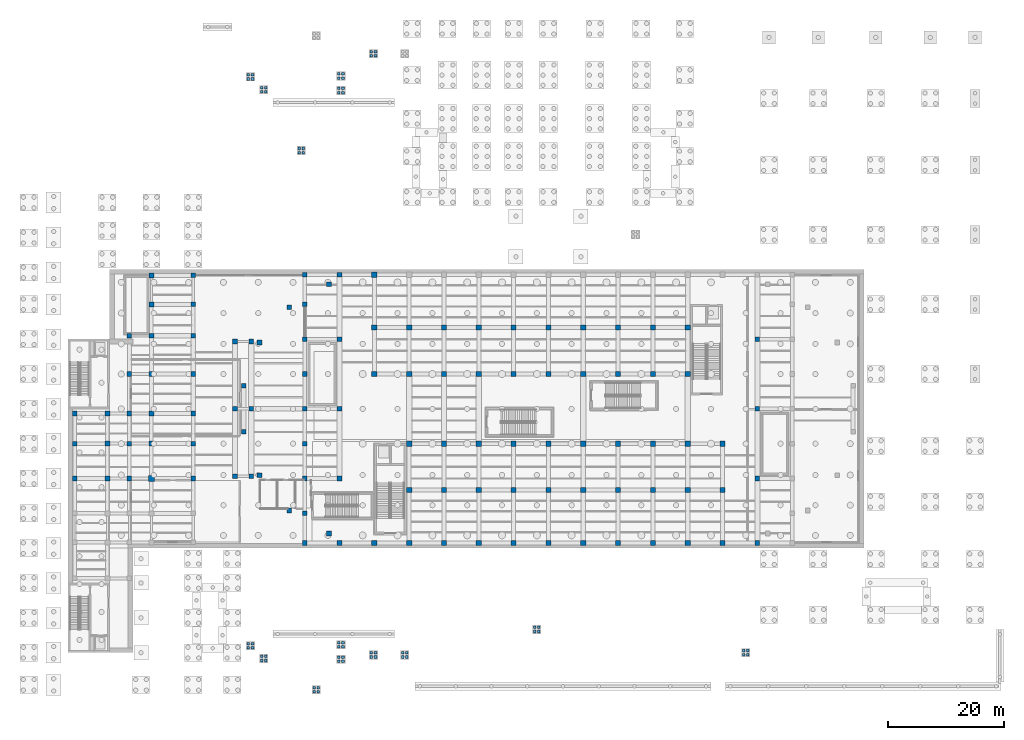
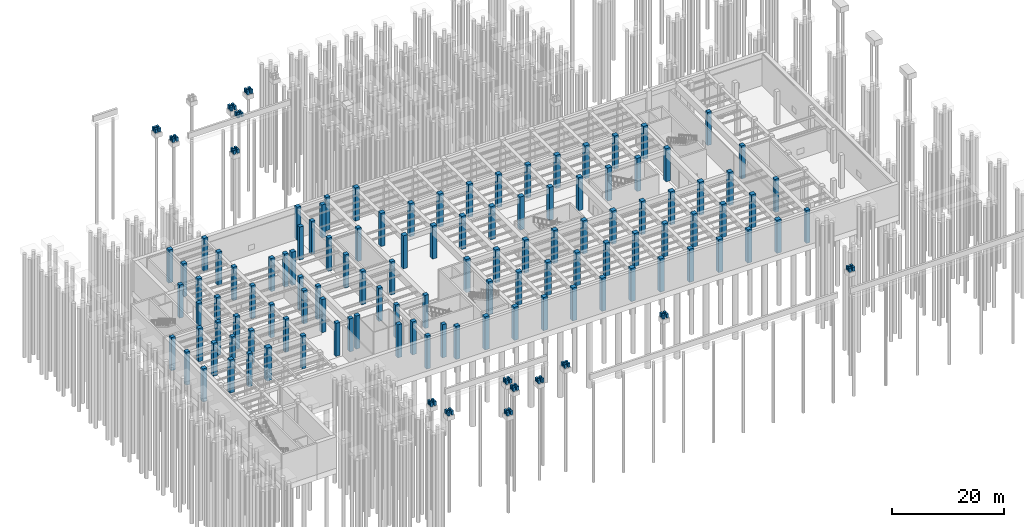
# One storey, part 7 of 30: 169 columns.
"""IFC4 building model written with IfcOpenShell, lengths in metres."""

from ifc_helpers import new_model, si_unit, direction, frame, origin, origin_2d, place, context, subcontext, project, spatial, rectangle, extrude, material, material_profile, profile_set, type_object, element, save


model = new_model("IFC4")

# Units and contexts
model_context = context("Model", 3, precision=1e-05, world=origin(), true_north=direction((0.0, 1.0)))
body_context = subcontext(model_context, "Body", "Model", "MODEL_VIEW")
ifc_project = project(units=[si_unit("LENGTHUNIT", "METRE"), si_unit("AREAUNIT", "SQUARE_METRE"), si_unit("VOLUMEUNIT", "CUBIC_METRE"), si_unit("PLANEANGLEUNIT", "RADIAN"), si_unit("MASSUNIT", "GRAM", prefix="KILO")], contexts=[model_context])

# Site, building, storey
site_placement = place(None, origin())
site = spatial("IfcSite", under=ifc_project, at=site_placement, CompositionType="ELEMENT")
building_placement = place(site_placement, origin())
building = spatial("IfcBuilding", under=site, at=building_placement, Name="Kolvaren Corner Interchange", CompositionType="ELEMENT")
storey_placement = place(building_placement, frame((0.0, 0.0, -7.199951171875)))
storey = spatial("IfcBuildingStorey", under=building, at=storey_placement, Name="B1", CompositionType="ELEMENT", Elevation=-7.199951171875)

# Columns
ifc_material_1 = material(Name="Concrete C40/50", Category="concrete")
ifc_material_profile_1 = material_profile(ifc_material_1, rectangle(XDim=1.0, YDim=1.0, at=origin_2d()), Name="RC 1000x1000")
ifc_profile_set_1 = profile_set([ifc_material_profile_1], Name="Concrete C40/50")
column_type_1 = type_object("IfcColumnType", Name="COL-RC1000", PredefinedType="COLUMN", material=ifc_profile_set_1)
column_placement = place(storey_placement, frame((21.60009765625, 36.0, 0.0), z_axis=(0.0, 0.0, 1.0), x_axis=(1.0, 0.0, 0.0)))
element("IfcColumn", 1, at=column_placement, inside=storey, type_object=column_type_1, Name="Storey B1 Structural Column 0343", PredefinedType="COLUMN", context=body_context, shape_type="SweptSolid", body=[
    extrude(rectangle(XDim=1.0, YDim=1.0, at=origin_2d()), origin(), (0.0, 0.0, 1.0), 7.199951171875),
])
ifc_material_2 = material(Name="Concrete C35/45", Category="concrete")
ifc_material_profile_2 = material_profile(ifc_material_2, rectangle(XDim=0.449951171875, YDim=0.449951171875, at=origin_2d()), Name="RC 450x450")
ifc_profile_set_2 = profile_set([ifc_material_profile_2], Name="Concrete C35/45")
column_type_2 = type_object("IfcColumnType", Name="COL-RC450", PredefinedType="COLUMN", material=ifc_profile_set_2)
for number, where, z_axis, x_axis, name in (
    (2, (49.639892578125, -0.760009765625, 4.619873046875), (0.0, 0.0, 1.0), (1.0, 0.0, 0.0), "Street Sidewalk Plinth Pier 001"),
    (3, (49.639892578125, -0.0400390625, 4.619873046875), (0.0, 0.0, 1.0), (1.0, 0.0, 0.0), "Street Sidewalk Plinth Pier 002"),
    (4, (50.360107421875, -0.760009765625, 4.619873046875), (0.0, 0.0, 1.0), (1.0, 0.0, 0.0), "Street Sidewalk Plinth Pier 003"),
    (5, (50.360107421875, -0.0400390625, 4.619873046875), (0.0, 0.0, 1.0), (1.0, 0.0, 0.0), "Street Sidewalk Plinth Pier 004"),
):
    element("IfcColumn", number, at=place(storey_placement, frame(where, z_axis=z_axis, x_axis=x_axis)), inside=storey, type_object=column_type_2, Name=name, PredefinedType="COLUMN", context=body_context, shape_type="SweptSolid", body=[
        extrude(rectangle(XDim=0.449951171875, YDim=0.449951171875, at=origin_2d()), origin(), (0.0, 0.0, 1.0), 0.85009765625),
    ])
for number, where, z_axis, x_axis, name in (
    (6, (59.489990234375, 5.239990234375, 4.510009765625), (0.0, 0.0, 1.0), (1.0, 0.0, 0.0), "Southwest Forecourt Civic Steps Bottom Plinth Pier 009"),
    (7, (59.489990234375, 5.9599609375, 4.510009765625), (0.0, 0.0, 1.0), (1.0, 0.0, 0.0), "Southwest Forecourt Civic Steps Bottom Plinth Pier 010"),
    (8, (60.2099609375, 5.239990234375, 4.510009765625), (0.0, 0.0, 1.0), (1.0, 0.0, 0.0), "Southwest Forecourt Civic Steps Bottom Plinth Pier 011"),
    (9, (60.2099609375, 5.9599609375, 4.510009765625), (0.0, 0.0, 1.0), (1.0, 0.0, 0.0), "Southwest Forecourt Civic Steps Bottom Plinth Pier 012"),
):
    element("IfcColumn", number, at=place(storey_placement, frame(where, z_axis=z_axis, x_axis=x_axis)), inside=storey, type_object=column_type_2, Name=name, PredefinedType="COLUMN", context=body_context, shape_type="SweptSolid", body=[
        extrude(rectangle(XDim=0.449951171875, YDim=0.449951171875, at=origin_2d()), origin(), (0.0, 0.0, 1.0), 0.849853515625),
    ])
for number, where, z_axis, x_axis, name in (
    (10, (64.889892578125, 5.239990234375, 5.969970703125), (0.0, 0.0, 1.0), (1.0, 0.0, 0.0), "Southwest Forecourt Civic Steps Top Plinth Pier 013"),
    (11, (64.889892578125, 5.9599609375, 5.969970703125), (0.0, 0.0, 1.0), (1.0, 0.0, 0.0), "Southwest Forecourt Civic Steps Top Plinth Pier 014"),
    (12, (65.610107421875, 5.239990234375, 5.969970703125), (0.0, 0.0, 1.0), (1.0, 0.0, 0.0), "Southwest Forecourt Civic Steps Top Plinth Pier 015"),
    (13, (65.610107421875, 5.9599609375, 5.969970703125), (0.0, 0.0, 1.0), (1.0, 0.0, 0.0), "Southwest Forecourt Civic Steps Top Plinth Pier 016"),
):
    element("IfcColumn", number, at=place(storey_placement, frame(where, z_axis=z_axis, x_axis=x_axis)), inside=storey, type_object=column_type_2, Name=name, PredefinedType="COLUMN", context=body_context, shape_type="SweptSolid", body=[
        extrude(rectangle(XDim=0.449951171875, YDim=0.449951171875, at=origin_2d()), origin(), (0.0, 0.0, 1.0), 0.85009765625),
    ])
for number, where, z_axis, x_axis, name in (
    (14, (59.489990234375, 108.840087890625, 4.510009765625), (0.0, 0.0, 1.0), (1.0, 0.0, 0.0), "Northwest Cycle Hub Civic Steps Bottom Plinth Pier 017"),
    (15, (59.489990234375, 109.56005859375, 4.510009765625), (0.0, 0.0, 1.0), (1.0, 0.0, 0.0), "Northwest Cycle Hub Civic Steps Bottom Plinth Pier 018"),
    (16, (60.2099609375, 108.840087890625, 4.510009765625), (0.0, 0.0, 1.0), (1.0, 0.0, 0.0), "Northwest Cycle Hub Civic Steps Bottom Plinth Pier 019"),
    (17, (60.2099609375, 109.56005859375, 4.510009765625), (0.0, 0.0, 1.0), (1.0, 0.0, 0.0), "Northwest Cycle Hub Civic Steps Bottom Plinth Pier 020"),
    (18, (38.2900390625, 6.840087890625, 6.010009765625), (0.0, 0.0, 1.0), (1.0, 0.0, 0.0), "South Forecourt Accessible Plinth Ramp Top Spur Plinth Pier 025"),
    (19, (38.2900390625, 7.56005859375, 6.010009765625), (0.0, 0.0, 1.0), (1.0, 0.0, 0.0), "South Forecourt Accessible Plinth Ramp Top Spur Plinth Pier 026"),
    (20, (39.010009765625, 6.840087890625, 6.010009765625), (0.0, 0.0, 1.0), (1.0, 0.0, 0.0), "South Forecourt Accessible Plinth Ramp Top Spur Plinth Pier 027"),
    (21, (39.010009765625, 7.56005859375, 6.010009765625), (0.0, 0.0, 1.0), (1.0, 0.0, 0.0), "South Forecourt Accessible Plinth Ramp Top Spur Plinth Pier 028"),
    (22, (40.590087890625, 4.639892578125, 4.510009765625), (0.0, 0.0, 1.0), (1.0, 0.0, 0.0), "South Forecourt Accessible Plinth Ramp Bottom Plinth Pier 029"),
    (23, (40.590087890625, 5.360107421875, 4.510009765625), (0.0, 0.0, 1.0), (1.0, 0.0, 0.0), "South Forecourt Accessible Plinth Ramp Bottom Plinth Pier 030"),
    (24, (41.31005859375, 4.639892578125, 4.510009765625), (0.0, 0.0, 1.0), (1.0, 0.0, 0.0), "South Forecourt Accessible Plinth Ramp Bottom Plinth Pier 031"),
    (25, (41.31005859375, 5.360107421875, 4.510009765625), (0.0, 0.0, 1.0), (1.0, 0.0, 0.0), "South Forecourt Accessible Plinth Ramp Bottom Plinth Pier 032"),
    (26, (53.889892578125, 4.489990234375, 5.260009765625), (0.0, 0.0, 1.0), (1.0, 0.0, 0.0), "South Forecourt Accessible Plinth Ramp Mid South Plinth Pier 033"),
    (27, (53.889892578125, 5.2099609375, 5.260009765625), (0.0, 0.0, 1.0), (1.0, 0.0, 0.0), "South Forecourt Accessible Plinth Ramp Mid South Plinth Pier 034"),
    (28, (54.610107421875, 4.489990234375, 5.260009765625), (0.0, 0.0, 1.0), (1.0, 0.0, 0.0), "South Forecourt Accessible Plinth Ramp Mid South Plinth Pier 035"),
    (29, (54.610107421875, 5.2099609375, 5.260009765625), (0.0, 0.0, 1.0), (1.0, 0.0, 0.0), "South Forecourt Accessible Plinth Ramp Mid South Plinth Pier 036"),
    (30, (53.889892578125, 6.989990234375, 5.260009765625), (0.0, 0.0, 1.0), (1.0, 0.0, 0.0), "South Forecourt Accessible Plinth Ramp Mid North Plinth Pier 037"),
    (31, (53.889892578125, 7.7099609375, 5.260009765625), (0.0, 0.0, 1.0), (1.0, 0.0, 0.0), "South Forecourt Accessible Plinth Ramp Mid North Plinth Pier 038"),
    (32, (54.610107421875, 6.989990234375, 5.260009765625), (0.0, 0.0, 1.0), (1.0, 0.0, 0.0), "South Forecourt Accessible Plinth Ramp Mid North Plinth Pier 039"),
    (33, (54.610107421875, 7.7099609375, 5.260009765625), (0.0, 0.0, 1.0), (1.0, 0.0, 0.0), "South Forecourt Accessible Plinth Ramp Mid North Plinth Pier 040"),
    (34, (38.2900390625, 104.840087890625, 6.010009765625), (0.0, 0.0, 1.0), (1.0, 0.0, 0.0), "West Cycle Hub Accessible Plinth Ramp Top Spur Plinth Pier 041"),
    (35, (38.2900390625, 105.56005859375, 6.010009765625), (0.0, 0.0, 1.0), (1.0, 0.0, 0.0), "West Cycle Hub Accessible Plinth Ramp Top Spur Plinth Pier 042"),
    (36, (39.010009765625, 104.840087890625, 6.010009765625), (0.0, 0.0, 1.0), (1.0, 0.0, 0.0), "West Cycle Hub Accessible Plinth Ramp Top Spur Plinth Pier 043"),
    (37, (39.010009765625, 105.56005859375, 6.010009765625), (0.0, 0.0, 1.0), (1.0, 0.0, 0.0), "West Cycle Hub Accessible Plinth Ramp Top Spur Plinth Pier 044"),
    (38, (40.590087890625, 102.639892578125, 4.510009765625), (0.0, 0.0, 1.0), (1.0, 0.0, 0.0), "West Cycle Hub Accessible Plinth Ramp Bottom Plinth Pier 045"),
    (39, (40.590087890625, 103.360107421875, 4.510009765625), (0.0, 0.0, 1.0), (1.0, 0.0, 0.0), "West Cycle Hub Accessible Plinth Ramp Bottom Plinth Pier 046"),
    (40, (41.31005859375, 102.639892578125, 4.510009765625), (0.0, 0.0, 1.0), (1.0, 0.0, 0.0), "West Cycle Hub Accessible Plinth Ramp Bottom Plinth Pier 047"),
    (41, (41.31005859375, 103.360107421875, 4.510009765625), (0.0, 0.0, 1.0), (1.0, 0.0, 0.0), "West Cycle Hub Accessible Plinth Ramp Bottom Plinth Pier 048"),
    (42, (53.889892578125, 102.489990234375, 5.260009765625), (0.0, 0.0, 1.0), (1.0, 0.0, 0.0), "West Cycle Hub Accessible Plinth Ramp Mid South Plinth Pier 049"),
    (43, (53.889892578125, 103.2099609375, 5.260009765625), (0.0, 0.0, 1.0), (1.0, 0.0, 0.0), "West Cycle Hub Accessible Plinth Ramp Mid South Plinth Pier 050"),
    (44, (54.610107421875, 102.489990234375, 5.260009765625), (0.0, 0.0, 1.0), (1.0, 0.0, 0.0), "West Cycle Hub Accessible Plinth Ramp Mid South Plinth Pier 051"),
    (45, (54.610107421875, 103.2099609375, 5.260009765625), (0.0, 0.0, 1.0), (1.0, 0.0, 0.0), "West Cycle Hub Accessible Plinth Ramp Mid South Plinth Pier 052"),
    (46, (53.889892578125, 104.989990234375, 5.260009765625), (0.0, 0.0, 1.0), (1.0, 0.0, 0.0), "West Cycle Hub Accessible Plinth Ramp Mid North Plinth Pier 053"),
    (47, (53.889892578125, 105.7099609375, 5.260009765625), (0.0, 0.0, 1.0), (1.0, 0.0, 0.0), "West Cycle Hub Accessible Plinth Ramp Mid North Plinth Pier 054"),
    (48, (54.610107421875, 104.989990234375, 5.260009765625), (0.0, 0.0, 1.0), (1.0, 0.0, 0.0), "West Cycle Hub Accessible Plinth Ramp Mid North Plinth Pier 055"),
    (49, (54.610107421875, 105.7099609375, 5.260009765625), (0.0, 0.0, 1.0), (1.0, 0.0, 0.0), "West Cycle Hub Accessible Plinth Ramp Mid North Plinth Pier 056"),
    (50, (87.639892578125, 9.639892578125, 6.06005859375), (0.0, 0.0, 1.0), (1.0, 0.0, 0.0), "Level 01 South Civic Forecourt Plinth Paving Slab Plinth Pier 057"),
    (51, (87.639892578125, 10.360107421875, 6.06005859375), (0.0, 0.0, 1.0), (1.0, 0.0, 0.0), "Level 01 South Civic Forecourt Plinth Paving Slab Plinth Pier 058"),
    (52, (88.360107421875, 9.639892578125, 6.06005859375), (0.0, 0.0, 1.0), (1.0, 0.0, 0.0), "Level 01 South Civic Forecourt Plinth Paving Slab Plinth Pier 059"),
    (53, (88.360107421875, 10.360107421875, 6.06005859375), (0.0, 0.0, 1.0), (1.0, 0.0, 0.0), "Level 01 South Civic Forecourt Plinth Paving Slab Plinth Pier 060"),
    (54, (47.0400390625, 92.139892578125, 6.06005859375), (0.0, 0.0, 1.0), (1.0, 0.0, 0.0), "Level 01 North Monsoon Retention Court Paving Slab Plinth Pier 065"),
    (55, (47.0400390625, 92.860107421875, 6.06005859375), (0.0, 0.0, 1.0), (1.0, 0.0, 0.0), "Level 01 North Monsoon Retention Court Paving Slab Plinth Pier 066"),
    (56, (47.760009765625, 92.139892578125, 6.06005859375), (0.0, 0.0, 1.0), (1.0, 0.0, 0.0), "Level 01 North Monsoon Retention Court Paving Slab Plinth Pier 067"),
    (57, (47.760009765625, 92.860107421875, 6.06005859375), (0.0, 0.0, 1.0), (1.0, 0.0, 0.0), "Level 01 North Monsoon Retention Court Paving Slab Plinth Pier 068"),
    (58, (123.639892578125, 5.639892578125, 6.06005859375), (0.0, 0.0, 1.0), (1.0, 0.0, 0.0), "Level 01 East Intermodal Bus Apron Paving Slab Plinth Pier 069"),
    (59, (123.639892578125, 6.360107421875, 6.06005859375), (0.0, 0.0, 1.0), (1.0, 0.0, 0.0), "Level 01 East Intermodal Bus Apron Paving Slab Plinth Pier 070"),
    (60, (124.360107421875, 5.639892578125, 6.06005859375), (0.0, 0.0, 1.0), (1.0, 0.0, 0.0), "Level 01 East Intermodal Bus Apron Paving Slab Plinth Pier 071"),
    (61, (124.360107421875, 6.360107421875, 6.06005859375), (0.0, 0.0, 1.0), (1.0, 0.0, 0.0), "Level 01 East Intermodal Bus Apron Paving Slab Plinth Pier 072"),
):
    element("IfcColumn", number, at=place(storey_placement, frame(where, z_axis=z_axis, x_axis=x_axis)), inside=storey, type_object=column_type_2, Name=name, PredefinedType="COLUMN", context=body_context, shape_type="SweptSolid", body=[
        extrude(rectangle(XDim=0.449951171875, YDim=0.449951171875, at=origin_2d()), origin(), (0.0, 0.0, 1.0), 0.849853515625),
    ])
ifc_material_3 = material(Name="Concrete C40/50", Category="concrete")
ifc_material_profile_3 = material_profile(ifc_material_3, rectangle(XDim=0.800048828125, YDim=0.800048828125, at=origin_2d()), Name="RC 800x800")
ifc_profile_set_3 = profile_set([ifc_material_profile_3], Name="Concrete C40/50")
column_type_3 = type_object("IfcColumnType", Name="COL-RC800", PredefinedType="COLUMN", material=ifc_profile_set_3)
for number, where, z_axis, x_axis, name in (
    (62, (8.39990234375, 36.0, 0.0), (0.0, 0.0, 1.0), (1.0, 0.0, 0.0), "Storey B1 Structural Column 0230"),
    (63, (8.39990234375, 42.0, 0.0), (0.0, 0.0, 1.0), (1.0, 0.0, 0.0), "Storey B1 Structural Column 0236"),
    (64, (8.39990234375, 47.199951171875, 0.0), (0.0, 0.0, 1.0), (1.0, 0.0, 0.0), "Storey B1 Structural Column 0242"),
    (65, (17.800048828125, 36.0, 0.0), (0.0, 0.0, 1.0), (1.0, 0.0, 0.0), "Storey B1 Structural Column 0302"),
    (66, (17.800048828125, 42.0, 0.0), (0.0, 0.0, 1.0), (1.0, 0.0, 0.0), "Storey B1 Structural Column 0308"),
    (67, (17.800048828125, 47.199951171875, 0.0), (0.0, 0.0, 1.0), (1.0, 0.0, 0.0), "Storey B1 Structural Column 0314"),
    (68, (17.800048828125, 54.0, 0.0), (0.0, 0.0, 1.0), (1.0, 0.0, 0.0), "Storey B1 Structural Column 0320"),
    (69, (17.800048828125, 60.60009765625, 0.0), (0.0, 0.0, 1.0), (1.0, 0.0, 0.0), "Storey B1 Structural Column 0326"),
    (70, (28.800048828125, 36.0, 0.0), (0.0, 0.0, 1.0), (1.0, 0.0, 0.0), "Storey B1 Structural Column 0390"),
    (71, (28.800048828125, 42.0, 0.0), (0.0, 0.0, 1.0), (1.0, 0.0, 0.0), "Storey B1 Structural Column 0394"),
    (72, (28.800048828125, 47.199951171875, 0.0), (0.0, 0.0, 1.0), (1.0, 0.0, 0.0), "Storey B1 Structural Column 0398"),
    (73, (28.800048828125, 54.0, 0.0), (0.0, 0.0, 1.0), (1.0, 0.0, 0.0), "Storey B1 Structural Column 0402"),
    (74, (28.800048828125, 60.60009765625, 0.0), (0.0, 0.0, 1.0), (1.0, 0.0, 0.0), "Storey B1 Structural Column 0406"),
    (75, (28.800048828125, 66.0, 0.0), (0.0, 0.0, 1.0), (1.0, 0.0, 0.0), "Storey B1 Structural Column 0410"),
    (76, (28.800048828125, 71.0, 0.0), (0.0, 0.0, 1.0), (1.0, 0.0, 0.0), "Storey B1 Structural Column 0414"),
    (77, (36.0, 36.39990234375, 0.0), (0.0, 0.0, 1.0), (1.0, 0.0, 0.0), "Storey B1 Structural Column 0445"),
    (78, (36.0, 48.0, 0.0), (0.0, 0.0, 1.0), (1.0, 0.0, 0.0), "Storey B1 Structural Column 0449"),
    (79, (36.0, 59.60009765625, 0.0), (0.0, 0.0, 1.0), (1.0, 0.0, 0.0), "Storey B1 Structural Column 0453"),
    (80, (38.800048828125, 36.39990234375, 0.0), (0.0, 0.0, 1.0), (1.0, 0.0, 0.0), "Storey B1 Structural Column 0457"),
    (81, (38.800048828125, 48.0, 0.0), (0.0, 0.0, 1.0), (1.0, 0.0, 0.0), "Storey B1 Structural Column 0461"),
    (82, (38.800048828125, 59.60009765625, 0.0), (0.0, 0.0, 1.0), (1.0, 0.0, 0.0), "Storey B1 Structural Column 0465"),
    (83, (48.0, 24.89990234375, 0.0), (0.0, 0.0, 1.0), (1.0, 0.0, 0.0), "Storey B1 Structural Column 0677"),
    (84, (48.0, 30.0, 0.0), (0.0, 0.0, 1.0), (1.0, 0.0, 0.0), "Storey B1 Structural Column 0681"),
    (85, (48.0, 36.0, 0.0), (0.0, 0.0, 1.0), (1.0, 0.0, 0.0), "Storey B1 Structural Column 0685"),
    (86, (48.0, 42.0, 0.0), (0.0, 0.0, 1.0), (1.0, 0.0, 0.0), "Storey B1 Structural Column 0689"),
    (87, (48.0, 48.0, 0.0), (0.0, 0.0, 1.0), (1.0, 0.0, 0.0), "Storey B1 Structural Column 0693"),
    (88, (48.0, 54.0, 0.0), (0.0, 0.0, 1.0), (1.0, 0.0, 0.0), "Storey B1 Structural Column 0697"),
    (89, (48.0, 60.0, 0.0), (0.0, 0.0, 1.0), (1.0, 0.0, 0.0), "Storey B1 Structural Column 0701"),
    (90, (48.0, 66.0, 0.0), (0.0, 0.0, 1.0), (1.0, 0.0, 0.0), "Storey B1 Structural Column 0705"),
    (91, (48.0, 71.10009765625, 0.0), (0.0, 0.0, 1.0), (1.0, 0.0, 0.0), "Storey B1 Structural Column 0709"),
    (92, (54.0, 24.89990234375, 0.0), (0.0, 0.0, 1.0), (1.0, 0.0, 0.0), "Storey B1 Structural Column 0713"),
    (93, (54.0, 36.0, 0.0), (0.0, 0.0, 1.0), (1.0, 0.0, 0.0), "Storey B1 Structural Column 0717"),
    (94, (54.0, 48.0, 0.0), (0.0, 0.0, 1.0), (1.0, 0.0, 0.0), "Storey B1 Structural Column 0720"),
    (95, (54.0, 60.0, 0.0), (0.0, 0.0, 1.0), (1.0, 0.0, 0.0), "Storey B1 Structural Column 0723"),
    (96, (54.0, 71.10009765625, 0.0), (0.0, 0.0, 1.0), (1.0, 0.0, 0.0), "Storey B1 Structural Column 0726"),
    (97, (126.0, 24.89990234375, 0.0), (0.0, 0.0, 1.0), (1.0, 0.0, 0.0), "Storey B1 Structural Column 0730"),
    (98, (126.0, 36.0, 0.0), (0.0, 0.0, 1.0), (1.0, 0.0, 0.0), "Storey B1 Structural Column 0734"),
    (99, (126.0, 48.0, 0.0), (0.0, 0.0, 1.0), (1.0, 0.0, 0.0), "Storey B1 Structural Column 0737"),
    (100, (126.0, 60.0, 0.0), (0.0, 0.0, 1.0), (1.0, 0.0, 0.0), "Storey B1 Structural Column 0740"),
    (101, (52.18505859375, 69.471923828125, 0.0), (0.0, 0.0, 1.0), (1.0, 0.0, 0.0), "Storey B1 Structural Column 0783"),
    (102, (45.31201171875, 65.50390625, 0.0), (0.0, 0.0, 1.0), (1.0, 0.0, 0.0), "Storey B1 Structural Column 0787"),
    (103, (40.2109375, 59.425048828125, 0.0), (0.0, 0.0, 1.0), (1.0, 0.0, 0.0), "Storey B1 Structural Column 0791"),
    (104, (37.4970703125, 51.968017578125, 0.0), (0.0, 0.0, 1.0), (1.0, 0.0, 0.0), "Storey B1 Structural Column 0795"),
    (105, (37.4970703125, 44.031982421875, 0.0), (0.0, 0.0, 1.0), (1.0, 0.0, 0.0), "Storey B1 Structural Column 0799"),
    (106, (40.2109375, 36.574951171875, 0.0), (0.0, 0.0, 1.0), (1.0, 0.0, 0.0), "Storey B1 Structural Column 0803"),
    (107, (45.31201171875, 30.49609375, 0.0), (0.0, 0.0, 1.0), (1.0, 0.0, 0.0), "Storey B1 Structural Column 0807"),
    (108, (52.18505859375, 26.528076171875, 0.0), (0.0, 0.0, 1.0), (1.0, 0.0, 0.0), "Storey B1 Structural Column 0811"),
):
    element("IfcColumn", number, at=place(storey_placement, frame(where, z_axis=z_axis, x_axis=x_axis)), inside=storey, type_object=column_type_3, Name=name, PredefinedType="COLUMN", context=body_context, shape_type="SweptSolid", body=[
        extrude(rectangle(XDim=0.800048828125, YDim=0.800048828125, at=origin_2d()), origin(), (0.0, 0.0, 1.0), 7.199951171875),
    ])
ifc_material_4 = material(Name="Concrete C40/50", Category="concrete")
ifc_material_profile_4 = material_profile(ifc_material_4, rectangle(XDim=0.85009765625, YDim=0.85009765625, at=origin_2d()), Name="RC 850x850")
ifc_profile_set_4 = profile_set([ifc_material_profile_4], Name="Concrete C40/50")
column_type_4 = type_object("IfcColumnType", Name="COL-RC850", PredefinedType="COLUMN", material=ifc_profile_set_4)
for number, where, z_axis, x_axis, name in (
    (109, (14.0, 36.0, 0.0), (0.0, 0.0, 1.0), (1.0, 0.0, 0.0), "Storey B1 Structural Column 0266"),
    (110, (14.0, 42.0, 0.0), (0.0, 0.0, 1.0), (1.0, 0.0, 0.0), "Storey B1 Structural Column 0272"),
    (111, (14.0, 47.199951171875, 0.0), (0.0, 0.0, 1.0), (1.0, 0.0, 0.0), "Storey B1 Structural Column 0278"),
    (112, (21.60009765625, 42.0, 0.0), (0.0, 0.0, 1.0), (1.0, 0.0, 0.0), "Storey B1 Structural Column 0349"),
    (113, (21.60009765625, 47.199951171875, 0.0), (0.0, 0.0, 1.0), (1.0, 0.0, 0.0), "Storey B1 Structural Column 0355"),
    (114, (21.60009765625, 54.0, 0.0), (0.0, 0.0, 1.0), (1.0, 0.0, 0.0), "Storey B1 Structural Column 0361"),
    (115, (21.60009765625, 60.60009765625, 0.0), (0.0, 0.0, 1.0), (1.0, 0.0, 0.0), "Storey B1 Structural Column 0367"),
    (116, (21.60009765625, 66.0, 0.0), (0.0, 0.0, 1.0), (1.0, 0.0, 0.0), "Storey B1 Structural Column 0372"),
    (117, (21.60009765625, 71.0, 0.0), (0.0, 0.0, 1.0), (1.0, 0.0, 0.0), "Storey B1 Structural Column 0377"),
):
    element("IfcColumn", number, at=place(storey_placement, frame(where, z_axis=z_axis, x_axis=x_axis)), inside=storey, type_object=column_type_4, Name=name, PredefinedType="COLUMN", context=body_context, shape_type="SweptSolid", body=[
        extrude(rectangle(XDim=0.85009765625, YDim=0.85009765625, at=origin_2d()), origin(), (0.0, 0.0, 1.0), 7.199951171875),
    ])
ifc_material_5 = material(Name="Concrete C40/50", Category="concrete")
ifc_material_profile_5 = material_profile(ifc_material_5, rectangle(XDim=0.89990234375, YDim=0.89990234375, at=origin_2d()), Name="RC 900x900")
ifc_profile_set_5 = profile_set([ifc_material_profile_5], Name="Concrete C40/50")
column_type_5 = type_object("IfcColumnType", Name="COL-RC900", PredefinedType="COLUMN", material=ifc_profile_set_5)
for number, where, z_axis, x_axis, name in (
    (118, (60.0, 24.89990234375, 0.0), (0.0, 0.0, 1.0), (1.0, 0.0, 0.0), "Storey B1 Structural Column 0469"),
    (119, (60.0, 54.0, 0.0), (0.0, 0.0, 1.0), (1.0, 0.0, 0.0), "Storey B1 Structural Column 0473"),
    (120, (60.0, 62.0, 0.0), (0.0, 0.0, 1.0), (1.0, 0.0, 0.0), "Storey B1 Structural Column 0476"),
    (121, (60.0, 71.10009765625, 0.0), (0.0, 0.0, 1.0), (1.0, 0.0, 0.0), "Storey B1 Structural Column 0479"),
    (122, (66.0, 24.89990234375, 0.0), (0.0, 0.0, 1.0), (1.0, 0.0, 0.0), "Storey B1 Structural Column 0483"),
    (123, (66.0, 34.0, 0.0), (0.0, 0.0, 1.0), (1.0, 0.0, 0.0), "Storey B1 Structural Column 0487"),
    (124, (66.0, 42.0, 0.0), (0.0, 0.0, 1.0), (1.0, 0.0, 0.0), "Storey B1 Structural Column 0490"),
    (125, (66.0, 54.0, 0.0), (0.0, 0.0, 1.0), (1.0, 0.0, 0.0), "Storey B1 Structural Column 0493"),
    (126, (66.0, 62.0, 0.0), (0.0, 0.0, 1.0), (1.0, 0.0, 0.0), "Storey B1 Structural Column 0496"),
    (127, (72.0, 24.89990234375, 0.0), (0.0, 0.0, 1.0), (1.0, 0.0, 0.0), "Storey B1 Structural Column 0503"),
    (128, (72.0, 34.0, 0.0), (0.0, 0.0, 1.0), (1.0, 0.0, 0.0), "Storey B1 Structural Column 0507"),
    (129, (72.0, 42.0, 0.0), (0.0, 0.0, 1.0), (1.0, 0.0, 0.0), "Storey B1 Structural Column 0511"),
    (130, (72.0, 54.0, 0.0), (0.0, 0.0, 1.0), (1.0, 0.0, 0.0), "Storey B1 Structural Column 0515"),
    (131, (72.0, 62.0, 0.0), (0.0, 0.0, 1.0), (1.0, 0.0, 0.0), "Storey B1 Structural Column 0516"),
    (132, (78.0, 24.89990234375, 0.0), (0.0, 0.0, 1.0), (1.0, 0.0, 0.0), "Storey B1 Structural Column 0523"),
    (133, (78.0, 34.0, 0.0), (0.0, 0.0, 1.0), (1.0, 0.0, 0.0), "Storey B1 Structural Column 0527"),
    (134, (78.0, 42.0, 0.0), (0.0, 0.0, 1.0), (1.0, 0.0, 0.0), "Storey B1 Structural Column 0531"),
    (135, (78.0, 54.0, 0.0), (0.0, 0.0, 1.0), (1.0, 0.0, 0.0), "Storey B1 Structural Column 0535"),
    (136, (78.0, 62.0, 0.0), (0.0, 0.0, 1.0), (1.0, 0.0, 0.0), "Storey B1 Structural Column 0536"),
    (137, (84.0, 24.89990234375, 0.0), (0.0, 0.0, 1.0), (1.0, 0.0, 0.0), "Storey B1 Structural Column 0543"),
    (138, (84.0, 34.0, 0.0), (0.0, 0.0, 1.0), (1.0, 0.0, 0.0), "Storey B1 Structural Column 0547"),
    (139, (84.0, 42.0, 0.0), (0.0, 0.0, 1.0), (1.0, 0.0, 0.0), "Storey B1 Structural Column 0551"),
    (140, (84.0, 54.0, 0.0), (0.0, 0.0, 1.0), (1.0, 0.0, 0.0), "Storey B1 Structural Column 0555"),
    (141, (84.0, 62.0, 0.0), (0.0, 0.0, 1.0), (1.0, 0.0, 0.0), "Storey B1 Structural Column 0556"),
    (142, (90.0, 24.89990234375, 0.0), (0.0, 0.0, 1.0), (1.0, 0.0, 0.0), "Storey B1 Structural Column 0563"),
    (143, (90.0, 34.0, 0.0), (0.0, 0.0, 1.0), (1.0, 0.0, 0.0), "Storey B1 Structural Column 0567"),
    (144, (90.0, 42.0, 0.0), (0.0, 0.0, 1.0), (1.0, 0.0, 0.0), "Storey B1 Structural Column 0571"),
    (145, (90.0, 54.0, 0.0), (0.0, 0.0, 1.0), (1.0, 0.0, 0.0), "Storey B1 Structural Column 0575"),
    (146, (90.0, 62.0, 0.0), (0.0, 0.0, 1.0), (1.0, 0.0, 0.0), "Storey B1 Structural Column 0576"),
    (147, (96.0, 24.89990234375, 0.0), (0.0, 0.0, 1.0), (1.0, 0.0, 0.0), "Storey B1 Structural Column 0583"),
    (148, (96.0, 34.0, 0.0), (0.0, 0.0, 1.0), (1.0, 0.0, 0.0), "Storey B1 Structural Column 0587"),
    (149, (96.0, 42.0, 0.0), (0.0, 0.0, 1.0), (1.0, 0.0, 0.0), "Storey B1 Structural Column 0591"),
    (150, (96.0, 54.0, 0.0), (0.0, 0.0, 1.0), (1.0, 0.0, 0.0), "Storey B1 Structural Column 0595"),
    (151, (96.0, 62.0, 0.0), (0.0, 0.0, 1.0), (1.0, 0.0, 0.0), "Storey B1 Structural Column 0596"),
    (152, (102.0, 24.89990234375, 0.0), (0.0, 0.0, 1.0), (1.0, 0.0, 0.0), "Storey B1 Structural Column 0603"),
    (153, (102.0, 34.0, 0.0), (0.0, 0.0, 1.0), (1.0, 0.0, 0.0), "Storey B1 Structural Column 0607"),
    (154, (102.0, 42.0, 0.0), (0.0, 0.0, 1.0), (1.0, 0.0, 0.0), "Storey B1 Structural Column 0611"),
    (155, (102.0, 54.0, 0.0), (0.0, 0.0, 1.0), (1.0, 0.0, 0.0), "Storey B1 Structural Column 0615"),
    (156, (102.0, 62.0, 0.0), (0.0, 0.0, 1.0), (1.0, 0.0, 0.0), "Storey B1 Structural Column 0616"),
    (157, (108.0, 24.89990234375, 0.0), (0.0, 0.0, 1.0), (1.0, 0.0, 0.0), "Storey B1 Structural Column 0623"),
    (158, (108.0, 34.0, 0.0), (0.0, 0.0, 1.0), (1.0, 0.0, 0.0), "Storey B1 Structural Column 0627"),
    (159, (108.0, 42.0, 0.0), (0.0, 0.0, 1.0), (1.0, 0.0, 0.0), "Storey B1 Structural Column 0631"),
    (160, (108.0, 54.0, 0.0), (0.0, 0.0, 1.0), (1.0, 0.0, 0.0), "Storey B1 Structural Column 0635"),
    (161, (108.0, 62.0, 0.0), (0.0, 0.0, 1.0), (1.0, 0.0, 0.0), "Storey B1 Structural Column 0636"),
    (162, (114.0, 24.89990234375, 0.0), (0.0, 0.0, 1.0), (1.0, 0.0, 0.0), "Storey B1 Structural Column 0643"),
    (163, (114.0, 34.0, 0.0), (0.0, 0.0, 1.0), (1.0, 0.0, 0.0), "Storey B1 Structural Column 0647"),
    (164, (114.0, 42.0, 0.0), (0.0, 0.0, 1.0), (1.0, 0.0, 0.0), "Storey B1 Structural Column 0650"),
    (165, (114.0, 54.0, 0.0), (0.0, 0.0, 1.0), (1.0, 0.0, 0.0), "Storey B1 Structural Column 0653"),
    (166, (114.0, 62.0, 0.0), (0.0, 0.0, 1.0), (1.0, 0.0, 0.0), "Storey B1 Structural Column 0656"),
    (167, (120.0, 24.89990234375, 0.0), (0.0, 0.0, 1.0), (1.0, 0.0, 0.0), "Storey B1 Structural Column 0663"),
    (168, (120.0, 34.0, 0.0), (0.0, 0.0, 1.0), (1.0, 0.0, 0.0), "Storey B1 Structural Column 0667"),
    (169, (120.0, 42.0, 0.0), (0.0, 0.0, 1.0), (1.0, 0.0, 0.0), "Storey B1 Structural Column 0670"),
):
    element("IfcColumn", number, at=place(storey_placement, frame(where, z_axis=z_axis, x_axis=x_axis)), inside=storey, type_object=column_type_5, Name=name, PredefinedType="COLUMN", context=body_context, shape_type="SweptSolid", body=[
        extrude(rectangle(XDim=0.89990234375, YDim=0.89990234375, at=origin_2d()), origin(), (0.0, 0.0, 1.0), 7.199951171875),
    ])

save(model, "model.ifc")
